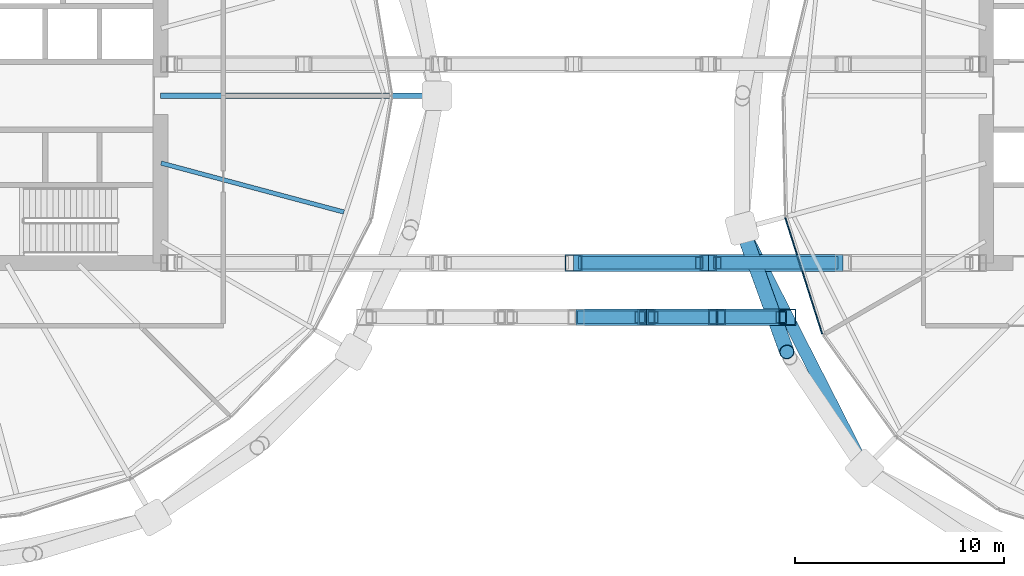
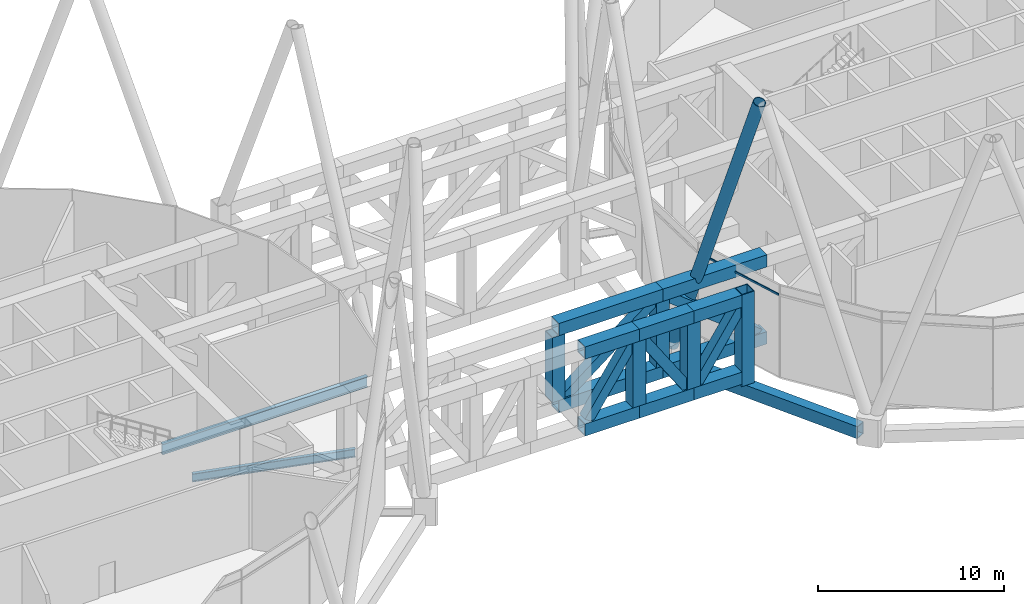
# One storey, part 8 of 39: 22 members, 3 beams, 1 element without a shape of its own.
"""IFC4 building model written with IfcOpenShell, lengths in metres."""

from ifc_helpers import new_model, si_unit, direction, frame, origin, origin_2d, place, context, subcontext, project, spatial, rectangle, hollow_rectangle, hollow_circle, i_section, extrude, material, material_profile, profile_set, type_object, element, aggregate, save


model = new_model("IFC4")

# Units and contexts
model_context = context("Model", 3, precision=1e-05, world=origin(), true_north=direction((0.0, 1.0)))
body_context = subcontext(model_context, "Body", "Model", "MODEL_VIEW")
ifc_project = project(units=[si_unit("LENGTHUNIT", "METRE"), si_unit("AREAUNIT", "SQUARE_METRE"), si_unit("VOLUMEUNIT", "CUBIC_METRE"), si_unit("PLANEANGLEUNIT", "RADIAN"), si_unit("MASSUNIT", "GRAM", prefix="KILO")], contexts=[model_context])

# Site, building, storey
site_placement = place(None, origin())
site = spatial("IfcSite", under=ifc_project, at=site_placement, CompositionType="ELEMENT")
building_placement = place(site_placement, origin())
building = spatial("IfcBuilding", under=site, at=building_placement, Name="Rimbun Link Towers", CompositionType="ELEMENT")
storey_placement = place(building_placement, frame((0.0, 0.0, 127.199951171875)))
storey = spatial("IfcBuildingStorey", under=building, at=storey_placement, Name="L31", CompositionType="ELEMENT", Elevation=127.199951171875)

# Curtain wall, member
ifc_material_1 = material(Name="Aluminium 6063-T6 louvre wall", Category="aluminium")
curtain_wall_type = type_object("IfcCurtainWallType", Name="CW6 plant floor louvre wall", PredefinedType="NOTDEFINED", material=ifc_material_1)
curtain_wall_placement = place(storey_placement, origin())
curtain_wall = element("IfcCurtainWall", 1, at=curtain_wall_placement, inside=storey, type_object=curtain_wall_type, Name="CW6 L31 T2", PredefinedType="NOTDEFINED")
ifc_material_2 = material(Name="Aluminium 6063-T6", Category="aluminium")
ifc_material_profile_1 = material_profile(ifc_material_2, rectangle(XDim=0.06005859375, YDim=0.1201171875, at=origin_2d()), Name="TRANSOM 60X120")
ifc_profile_set_1 = profile_set([ifc_material_profile_1], Name="Aluminium 6063-T6")
member_type_1 = type_object("IfcMemberType", Name="CW6 transom 60X120", PredefinedType="USERDEFINED", material=ifc_profile_set_1)
member_1_placement = place(storey_placement, frame((11.89599609375, -11.396728515625, 5.400146484375), z_axis=(-0.303079419001, 0.952965301455, 0.0), x_axis=(-0.952965301455, -0.303079419001, 0.0)))
member_1 = element("IfcMember", 2, at=member_1_placement, type_object=member_type_1, Name="CW6 transom", ObjectType="TRANSOM", PredefinedType="USERDEFINED", context=body_context, shape_type="SweptSolid", body=[
    extrude(rectangle(XDim=0.06005859375, YDim=0.1201171875, at=origin_2d()), origin(), (0.0, 0.0, 1.0), 5.840087890625),
])
aggregate(curtain_wall, [member_1])

# Member
ifc_material_3 = material(Name="Steel S460NH", Category="steel")
ifc_material_profile_2 = material_profile(ifc_material_3, hollow_circle(Radius=0.355712890625, WallThickness=0.031982421875, at=origin_2d()), Name="Diagrid diagonal CHS 711x32")
ifc_profile_set_2 = profile_set([ifc_material_profile_2], Name="Steel S460NH")
member_type_2 = type_object("IfcMemberType", Name="Diagrid diagonal CHS 711x32", PredefinedType="BRACE", material=ifc_profile_set_2)
member_2_placement = place(storey_placement, frame((8.12060546875, -6.49267578125, 0.47509765625), z_axis=(0.106374110672, -0.293716404016, 0.949955379263), x_axis=(0.940236625704, 0.340521787386, 0.0)))
element("IfcMember", 3, at=member_2_placement, inside=storey, type_object=member_type_2, Name="Diagrid diagonal T2 L31-L35 10b", PredefinedType="BRACE", context=body_context, shape_type="SweptSolid", body=[
    extrude(hollow_circle(Radius=0.355712890625, WallThickness=0.031982421875, at=origin_2d()), origin(), (0.0, 0.0, 1.0), 19.63232421875),
])

# Beam
ifc_material_4 = material(Name="Steel S355J2", Category="steel")
ifc_material_profile_3 = material_profile(ifc_material_4, hollow_rectangle(XDim=0.60009765625, YDim=0.800048828125, WallThickness=0.0400390625, at=origin_2d()), Name="Exoskeleton ring girder BOX 600x800x40")
ifc_profile_set_3 = profile_set([ifc_material_profile_3], Name="Steel S355J2")
beam_type_1 = type_object("IfcBeamType", Name="Exoskeleton ring girder BOX 600x800x40", PredefinedType="BEAM", material=ifc_profile_set_3)
beam_1_placement = place(storey_placement, frame((8.38525390625, -6.969482421875, -0.56005859375), z_axis=(0.454076658276, -0.890962618974, 0.0), x_axis=(0.890962618974, 0.454076658276, 0.0)))
element("IfcBeam", 4, at=beam_1_placement, inside=storey, type_object=beam_type_1, Name="Exoskeleton ring girder L31 05", PredefinedType="BEAM", context=body_context, shape_type="SweptSolid", body=[
    extrude(hollow_rectangle(XDim=0.60009765625, YDim=0.800048828125, WallThickness=0.0400390625, at=origin_2d()), origin(), (0.0, 0.0, 1.0), 11.4892578125),
])

# Members
ifc_material_5 = material(Name="Steel S460N", Category="steel")
ifc_material_profile_4 = material_profile(ifc_material_5, hollow_rectangle(XDim=0.800048828125, YDim=0.800048828125, WallThickness=0.050048828125, at=origin_2d()), Name="Link transfer truss chord BOX 800x800x50")
ifc_profile_set_4 = profile_set([ifc_material_profile_4], Name="Steel S460N")
member_type_3 = type_object("IfcMemberType", Name="Link transfer truss chord BOX 800x800x50", PredefinedType="CHORD", material=ifc_profile_set_4)
for number, where, z_axis, x_axis, name in (
    (5, (0.0, -8.0, 0.400146484375), (1.0, 0.0, 0.0), (0.0, 1.0, 0.0), "Link transfer truss chord 1 bottom 03"),
    (6, (0.0, -8.0, 5.43994140625), (1.0, 0.0, 0.0), (0.0, 1.0, 0.0), "Link transfer truss chord 1 top 03"),
    (7, (6.449951171875, -8.0, 0.400146484375), (1.0, 0.0, 0.0), (0.0, 1.0, 0.0), "Link transfer truss chord 1 bottom 04"),
    (8, (6.449951171875, -8.0, 5.43994140625), (1.0, 0.0, 0.0), (0.0, 1.0, 0.0), "Link transfer truss chord 1 top 04"),
):
    element("IfcMember", number, at=place(storey_placement, frame(where, z_axis=z_axis, x_axis=x_axis)), inside=storey, type_object=member_type_3, Name=name, PredefinedType="CHORD", context=body_context, shape_type="SweptSolid", body=[
        extrude(hollow_rectangle(XDim=0.800048828125, YDim=0.800048828125, WallThickness=0.050048828125, at=origin_2d()), origin(), (0.0, 0.0, 1.0), 6.449951171875),
    ])
for number, where, z_axis, x_axis, name in (
    (9, (0.12890625, -10.60009765625, 0.400146484375), (1.0, 0.0, 0.0), (0.0, 1.0, 0.0), "Link face truss chord S bottom 03"),
    (10, (0.12890625, -10.60009765625, 5.43994140625), (1.0, 0.0, 0.0), (0.0, 1.0, 0.0), "Link face truss chord S top 03"),
    (11, (3.497802734375, -10.60009765625, 0.400146484375), (1.0, 0.0, 0.0), (0.0, 1.0, 0.0), "Link face truss chord S bottom 04"),
    (12, (3.497802734375, -10.60009765625, 5.43994140625), (1.0, 0.0, 0.0), (0.0, 1.0, 0.0), "Link face truss chord S top 04"),
):
    element("IfcMember", number, at=place(storey_placement, frame(where, z_axis=z_axis, x_axis=x_axis)), inside=storey, type_object=member_type_3, Name=name, PredefinedType="CHORD", context=body_context, shape_type="SweptSolid", body=[
        extrude(hollow_rectangle(XDim=0.800048828125, YDim=0.800048828125, WallThickness=0.050048828125, at=origin_2d()), origin(), (0.0, 0.0, 1.0), 3.368896484375),
    ])
for number, where, z_axis, x_axis, name in (
    (13, (6.86669921875, -10.60009765625, 0.400146484375), (1.0, 0.0, 0.0), (0.0, 1.0, 0.0), "Link face truss chord S bottom 05"),
    (14, (6.86669921875, -10.60009765625, 5.43994140625), (1.0, 0.0, 0.0), (0.0, 1.0, 0.0), "Link face truss chord S top 05"),
):
    element("IfcMember", number, at=place(storey_placement, frame(where, z_axis=z_axis, x_axis=x_axis)), inside=storey, type_object=member_type_3, Name=name, PredefinedType="CHORD", context=body_context, shape_type="SweptSolid", body=[
        extrude(hollow_rectangle(XDim=0.800048828125, YDim=0.800048828125, WallThickness=0.050048828125, at=origin_2d()), origin(), (0.0, 0.0, 1.0), 2.968994140625),
    ])
ifc_material_6 = material(Name="Steel S460N", Category="steel")
ifc_material_profile_5 = material_profile(ifc_material_6, hollow_rectangle(XDim=0.60009765625, YDim=0.60009765625, WallThickness=0.0400390625, at=origin_2d()), Name="Link transfer truss diagonal BOX 600x600x40")
ifc_profile_set_5 = profile_set([ifc_material_profile_5], Name="Steel S460N")
member_type_4 = type_object("IfcMemberType", Name="Link transfer truss diagonal BOX 600x600x40", PredefinedType="BRACE", material=ifc_profile_set_5)
for number, where, z_axis, x_axis, name in (
    (15, (0.433349609375, -8.0, 0.73876953125), (0.787964297355, 0.0, 0.615720931992), (0.0, 1.0, 0.0), "Link transfer truss diagonal 1 03"),
    (16, (6.88330078125, -8.0, 5.1015625), (0.787964297355, 0.0, -0.615720931992), (0.0, 1.0, 0.0), "Link transfer truss diagonal 1 04"),
):
    element("IfcMember", number, at=place(storey_placement, frame(where, z_axis=z_axis, x_axis=x_axis)), inside=storey, type_object=member_type_4, Name=name, PredefinedType="BRACE", context=body_context, shape_type="SweptSolid", body=[
        extrude(hollow_rectangle(XDim=0.60009765625, YDim=0.60009765625, WallThickness=0.0400390625, at=origin_2d()), origin(), (0.0, 0.0, 1.0), 7.085693359375),
    ])
for number, where, z_axis, x_axis, name in (
    (17, (0.4345703125, -10.60009765625, 0.857421875), (0.555733003869, 0.0, 0.83136082925), (0.0, 1.0, 0.0), "Link face truss diagonal S 03"),
    (18, (3.803466796875, -10.60009765625, 4.982666015625), (0.555733003869, 0.0, -0.83136082925), (0.0, 1.0, 0.0), "Link face truss diagonal S 04"),
    (19, (7.17236328125, -10.60009765625, 0.857421875), (0.555733003869, 0.0, 0.83136082925), (0.0, 1.0, 0.0), "Link face truss diagonal S 05"),
):
    element("IfcMember", number, at=place(storey_placement, frame(where, z_axis=z_axis, x_axis=x_axis)), inside=storey, type_object=member_type_4, Name=name, PredefinedType="BRACE", context=body_context, shape_type="SweptSolid", body=[
        extrude(hollow_rectangle(XDim=0.60009765625, YDim=0.60009765625, WallThickness=0.0400390625, at=origin_2d()), origin(), (0.0, 0.0, 1.0), 4.962158203125),
    ])
ifc_material_7 = material(Name="Steel S460N", Category="steel")
ifc_material_profile_6 = material_profile(ifc_material_7, hollow_rectangle(XDim=0.800048828125, YDim=0.800048828125, WallThickness=0.050048828125, at=origin_2d()), Name="Link transfer truss post BOX 800x800x50")
ifc_profile_set_6 = profile_set([ifc_material_profile_6], Name="Steel S460N")
member_type_5 = type_object("IfcMemberType", Name="Link transfer truss post BOX 800x800x50", PredefinedType="POST", material=ifc_profile_set_6)
for number, where, z_axis, x_axis, name in (
    (20, (0.0, -8.0, 0.800048828125), (0.0, 0.0, 1.0), (1.0, 0.0, 0.0), "Link transfer truss post 1-03"),
    (21, (6.449951171875, -8.0, 0.800048828125), (0.0, 0.0, 1.0), (1.0, 0.0, 0.0), "Link transfer truss post 1-04"),
    (22, (3.497802734375, -10.60009765625, 0.800048828125), (0.0, 0.0, 1.0), (1.0, 0.0, 0.0), "Link face truss post S-04"),
    (23, (6.86669921875, -10.60009765625, 0.800048828125), (0.0, 0.0, 1.0), (1.0, 0.0, 0.0), "Link face truss post S-05"),
):
    element("IfcMember", number, at=place(storey_placement, frame(where, z_axis=z_axis, x_axis=x_axis)), inside=storey, type_object=member_type_5, Name=name, PredefinedType="POST", context=body_context, shape_type="SweptSolid", body=[
        extrude(hollow_rectangle(XDim=0.800048828125, YDim=0.800048828125, WallThickness=0.050048828125, at=origin_2d()), origin(), (0.0, 0.0, 1.0), 4.239990234375),
    ])
member_3_placement = place(storey_placement, frame((10.235595703125, -10.60009765625, -0.159912109375), z_axis=(0.0, 0.0, 1.0), x_axis=(1.0, 0.0, 0.0)))
element("IfcMember", 24, at=member_3_placement, inside=storey, type_object=member_type_5, Name="Link face truss post S-06", PredefinedType="POST", context=body_context, shape_type="SweptSolid", body=[
    extrude(hollow_rectangle(XDim=0.800048828125, YDim=0.800048828125, WallThickness=0.050048828125, at=origin_2d()), origin(), (0.0, 0.0, 1.0), 6.0),
])

# Beams
ifc_material_8 = material(Name="Steel S355J2", Category="steel")
ifc_material_profile_7 = material_profile(ifc_material_8, i_section(OverallWidth=0.209228515625, OverallDepth=0.533203125, WebThickness=0.010009765625, FlangeThickness=0.015625, at=origin_2d()), Name="UB 533x210x92")
ifc_profile_set_7 = profile_set([ifc_material_profile_7], Name="Steel S355J2")
beam_type_2 = type_object("IfcBeamType", Name="UB 533x210x92", PredefinedType="BEAM", material=ifc_profile_set_7)
beam_2_placement = place(storey_placement, frame((-19.721923828125, -3.222900390625, -0.446533203125), z_axis=(0.965922647002, -0.258830910073, 0.0), x_axis=(0.258830910073, 0.965922647002, 0.0)))
element("IfcBeam", 25, at=beam_2_placement, inside=storey, type_object=beam_type_2, Name="Radial beam T1 L31 23", PredefinedType="BEAM", context=body_context, shape_type="SweptSolid", body=[
    extrude(i_section(OverallWidth=0.209228515625, OverallDepth=0.533203125, WebThickness=0.010009765625, FlangeThickness=0.015625, at=origin_2d()), origin(), (0.0, 0.0, 1.0), 9.05126953125),
])
ifc_material_9 = material(Name="Steel S355J2", Category="steel")
ifc_material_profile_8 = material_profile(ifc_material_9, i_section(OverallWidth=0.253662109375, OverallDepth=0.68359375, WebThickness=0.012451171875, FlangeThickness=0.01904296875, at=origin_2d()), Name="UB 686x254x140")
ifc_profile_set_8 = profile_set([ifc_material_profile_8], Name="Steel S355J2")
beam_type_3 = type_object("IfcBeamType", Name="UB 686x254x140", PredefinedType="BEAM", material=ifc_profile_set_8)
beam_3_placement = place(storey_placement, frame((-19.7490234375, 0.0, -0.521728515625), z_axis=(1.0, 0.0, 0.0), x_axis=(0.0, 1.0, 0.0)))
element("IfcBeam", 26, at=beam_3_placement, inside=storey, type_object=beam_type_3, Name="Radial beam T1 L31 00", PredefinedType="BEAM", context=body_context, shape_type="SweptSolid", body=[
    extrude(i_section(OverallWidth=0.253662109375, OverallDepth=0.68359375, WebThickness=0.012451171875, FlangeThickness=0.01904296875, at=origin_2d()), origin(), (0.0, 0.0, 1.0), 12.714111328125),
])

save(model, "model.ifc")
